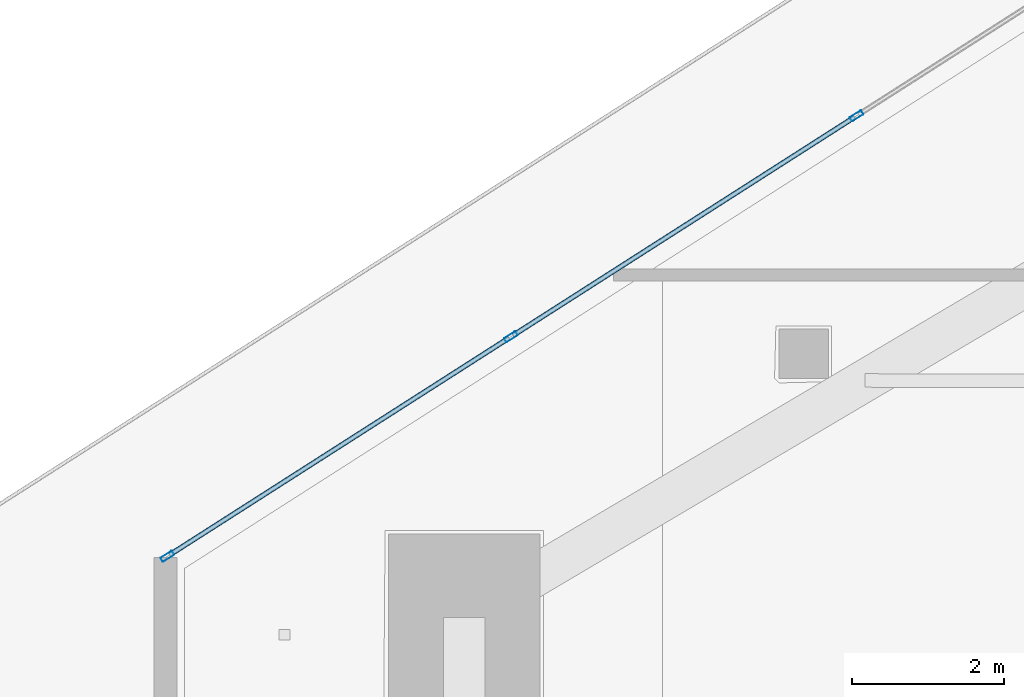
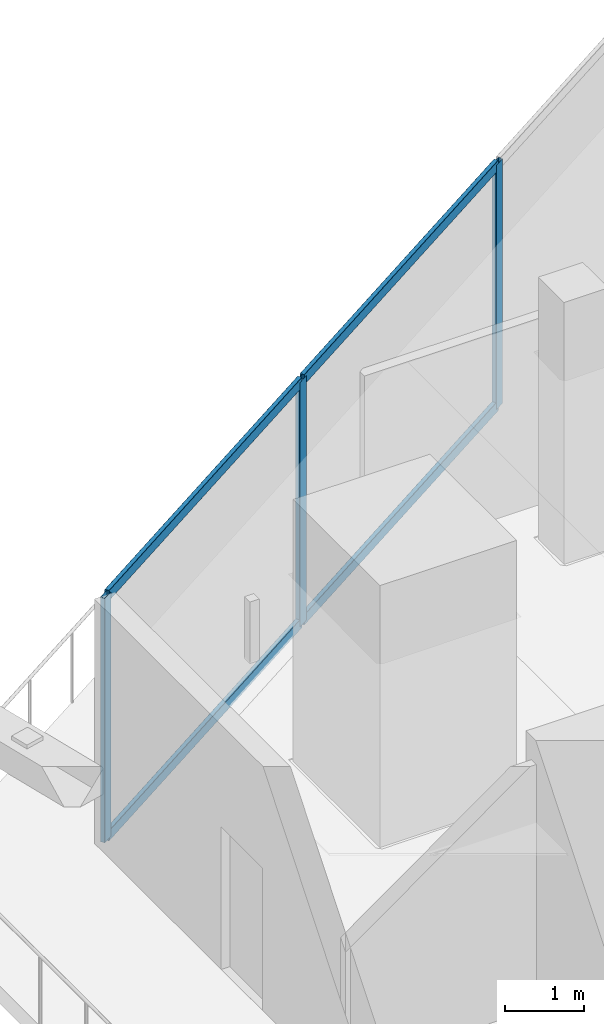
# One storey, part 14 of 39: 7 members, 1 element without a shape of its own.
"""IFC4 building model written with IfcOpenShell, lengths in metres."""

from ifc_helpers import new_model, si_unit, direction, frame, origin, origin_2d, place, context, subcontext, project, spatial, hollow_rectangle, extrude, material, layer, layer_set, material_profile, profile_set, type_object, element, aggregate, save


model = new_model("IFC4")

# Units and contexts
model_context = context("Model", 3, precision=1e-05, world=origin(), true_north=direction((0.0, 1.0)))
body_context = subcontext(model_context, "Body", "Model", "MODEL_VIEW")
ifc_project = project(units=[si_unit("LENGTHUNIT", "METRE"), si_unit("AREAUNIT", "SQUARE_METRE"), si_unit("VOLUMEUNIT", "CUBIC_METRE"), si_unit("PLANEANGLEUNIT", "RADIAN"), si_unit("MASSUNIT", "GRAM", prefix="KILO")], contexts=[model_context])

# Site, building, storey
site_placement = place(None, origin())
site = spatial("IfcSite", under=ifc_project, at=site_placement, CompositionType="ELEMENT")
building_placement = place(site_placement, origin())
building = spatial("IfcBuilding", under=site, at=building_placement, Name="Qorvath Tower", CompositionType="ELEMENT")
storey_placement = place(building_placement, frame((0.0, 0.0, 142.199951171875)))
storey = spatial("IfcBuildingStorey", under=building, at=storey_placement, Name="L32", CompositionType="ELEMENT", Elevation=142.199951171875)

# Curtain wall, members
ifc_material_1 = material(Name="Anodised aluminium and triple low-E glass", Category="aluminium")
ifc_layer = layer(ifc_material_1, 0.179931640625)
ifc_layer_set = layer_set([ifc_layer], Name="CW-SYS-3")
curtain_wall_type = type_object("IfcCurtainWallType", Name="CW-SYS-3", PredefinedType="NOTDEFINED", material=ifc_layer_set)
curtain_wall_placement = place(storey_placement, origin())
curtain_wall = element("IfcCurtainWall", 1, at=curtain_wall_placement, inside=storey, type_object=curtain_wall_type, Name="Curtain Wall CW-3 CW-T-L32-16.1", PredefinedType="NOTDEFINED")
ifc_material_2 = material(Name="Anodised aluminium 6063-T6", Category="aluminium")
ifc_material_profile_1 = material_profile(ifc_material_2, hollow_rectangle(XDim=0.06494140625, YDim=0.179931640625, WallThickness=0.00341796875, InnerFilletRadius=0.00341796875, OuterFilletRadius=0.007080078125, at=origin_2d()), Name="CWM 180x65")
ifc_profile_set_1 = profile_set([ifc_material_profile_1], Name="Anodised aluminium 6063-T6")
member_type_1 = type_object("IfcMemberType", Name="CWM-180", PredefinedType="MULLION", material=ifc_profile_set_1)
member_1_placement = place(storey_placement, frame((-47.883544921875, 9.556640625, 0.0), z_axis=(0.0, 0.0, 1.0), x_axis=(0.53853296968, -0.842604438967, 0.0)))
member_1 = element("IfcMember", 2, at=member_1_placement, type_object=member_type_1, Name="CW-3 mullion 8", PredefinedType="MULLION", context=body_context, shape_type="SweptSolid", body=[
    extrude(hollow_rectangle(XDim=0.06494140625, YDim=0.179931640625, WallThickness=0.00341796875, InnerFilletRadius=0.00341796875, OuterFilletRadius=0.007080078125, at=origin_2d()), origin(), (0.0, 0.0, 1.0), 3.780029296875),
])
member_2_placement = place(storey_placement, frame((-52.434326171875, 6.64794921875, 0.0), z_axis=(0.0, 0.0, 1.0), x_axis=(0.53853296968, -0.842604438967, 0.0)))
member_2 = element("IfcMember", 3, at=member_2_placement, type_object=member_type_1, Name="CW-3 mullion 9", PredefinedType="MULLION", context=body_context, shape_type="SweptSolid", body=[
    extrude(hollow_rectangle(XDim=0.06494140625, YDim=0.179931640625, WallThickness=0.00341796875, InnerFilletRadius=0.00341796875, OuterFilletRadius=0.007080078125, at=origin_2d()), origin(), (0.0, 0.0, 1.0), 3.780029296875),
])
member_3_placement = place(storey_placement, frame((-56.957763671875, 3.757080078125, 0.0), z_axis=(0.0, 0.0, 1.0), x_axis=(0.53853296968, -0.842604438967, 0.0)))
member_3 = element("IfcMember", 4, at=member_3_placement, type_object=member_type_1, Name="CW-3 mullion 10", PredefinedType="MULLION", context=body_context, shape_type="SweptSolid", body=[
    extrude(hollow_rectangle(XDim=0.06494140625, YDim=0.179931640625, WallThickness=0.00341796875, InnerFilletRadius=0.00341796875, OuterFilletRadius=0.007080078125, at=origin_2d()), origin(), (0.0, 0.0, 1.0), 3.780029296875),
])
ifc_material_3 = material(Name="Anodised aluminium 6063-T6", Category="aluminium")
ifc_material_profile_2 = material_profile(ifc_material_3, hollow_rectangle(XDim=0.06494140625, YDim=0.159912109375, WallThickness=0.00341796875, InnerFilletRadius=0.00341796875, OuterFilletRadius=0.007080078125, at=origin_2d()), Name="CWT 160x65")
ifc_profile_set_2 = profile_set([ifc_material_profile_2], Name="Anodised aluminium 6063-T6")
member_type_2 = type_object("IfcMemberType", Name="CWT-160", PredefinedType="USERDEFINED", material=ifc_profile_set_2)
member_4_placement = place(storey_placement, frame((-47.910888671875, 9.5390625, 0.032470703125), z_axis=(-0.842608601225, -0.538526457234, 0.0), x_axis=(0.538526457234, -0.842608601225, 0.0)))
member_4 = element("IfcMember", 5, at=member_4_placement, type_object=member_type_2, Name="CW-3 transom 8.1", ObjectType="TRANSOM", PredefinedType="USERDEFINED", context=body_context, shape_type="SweptSolid", body=[
    extrude(hollow_rectangle(XDim=0.06494140625, YDim=0.159912109375, WallThickness=0.00341796875, InnerFilletRadius=0.00341796875, OuterFilletRadius=0.007080078125, at=origin_2d()), origin(), (0.0, 0.0, 1.0), 5.3359375),
])
member_5_placement = place(storey_placement, frame((-47.910888671875, 9.5390625, 3.74755859375), z_axis=(-0.842608601225, -0.538526457234, 0.0), x_axis=(0.538526457234, -0.842608601225, 0.0)))
member_5 = element("IfcMember", 6, at=member_5_placement, type_object=member_type_2, Name="CW-3 transom 8.2", ObjectType="TRANSOM", PredefinedType="USERDEFINED", context=body_context, shape_type="SweptSolid", body=[
    extrude(hollow_rectangle(XDim=0.06494140625, YDim=0.159912109375, WallThickness=0.00341796875, InnerFilletRadius=0.00341796875, OuterFilletRadius=0.007080078125, at=origin_2d()), origin(), (0.0, 0.0, 1.0), 5.3359375),
])
member_6_placement = place(storey_placement, frame((-52.461669921875, 6.630615234375, 0.032470703125), z_axis=(-0.84259645993, -0.538545453711, 0.0), x_axis=(0.538545453711, -0.84259645993, 0.0)))
member_6 = element("IfcMember", 7, at=member_6_placement, type_object=member_type_2, Name="CW-3 transom 9.1", ObjectType="TRANSOM", PredefinedType="USERDEFINED", context=body_context, shape_type="SweptSolid", body=[
    extrude(hollow_rectangle(XDim=0.06494140625, YDim=0.159912109375, WallThickness=0.00341796875, InnerFilletRadius=0.00341796875, OuterFilletRadius=0.007080078125, at=origin_2d()), origin(), (0.0, 0.0, 1.0), 5.303466796875),
])
member_7_placement = place(storey_placement, frame((-52.461669921875, 6.630615234375, 3.74755859375), z_axis=(-0.84259645993, -0.538545453711, 0.0), x_axis=(0.538545453711, -0.84259645993, 0.0)))
member_7 = element("IfcMember", 8, at=member_7_placement, type_object=member_type_2, Name="CW-3 transom 9.2", ObjectType="TRANSOM", PredefinedType="USERDEFINED", context=body_context, shape_type="SweptSolid", body=[
    extrude(hollow_rectangle(XDim=0.06494140625, YDim=0.159912109375, WallThickness=0.00341796875, InnerFilletRadius=0.00341796875, OuterFilletRadius=0.007080078125, at=origin_2d()), origin(), (0.0, 0.0, 1.0), 5.303466796875),
])
aggregate(curtain_wall, [member_1, member_2, member_3, member_4, member_5, member_6, member_7])

save(model, "model.ifc")
